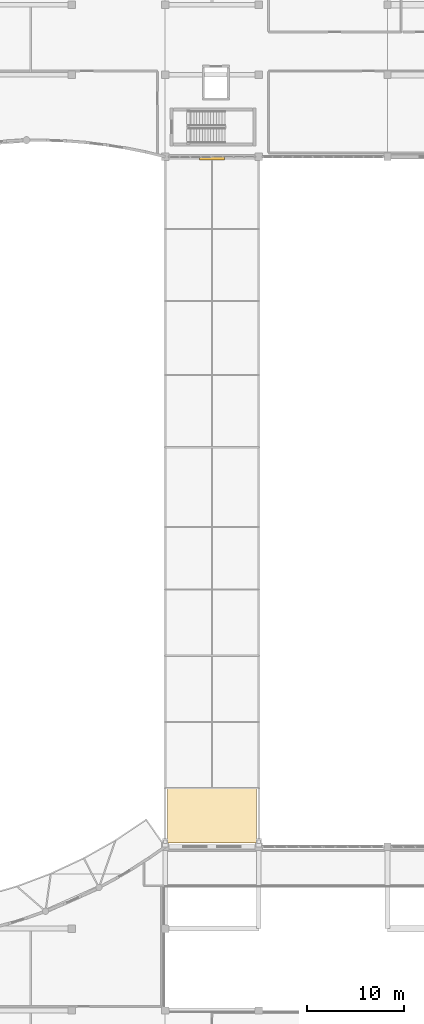
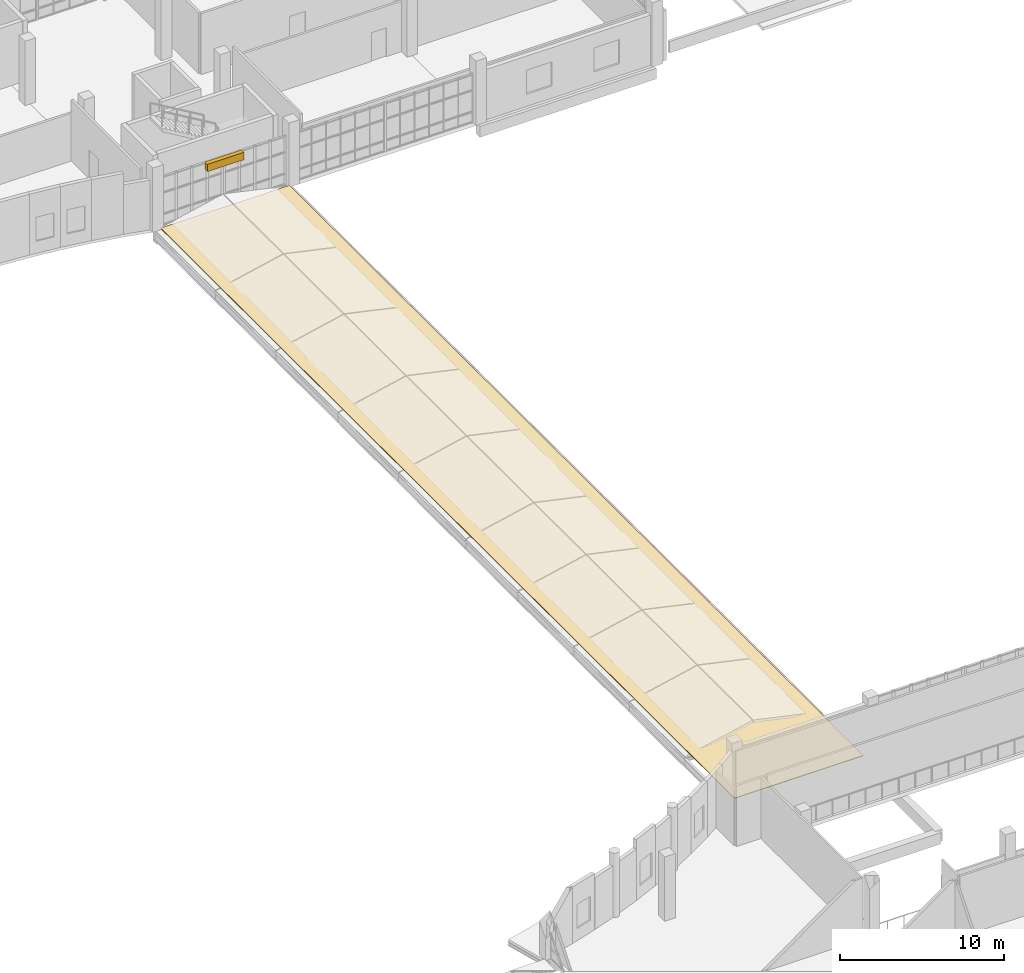
# One storey, part 105 of 106: 1 covering, 1 shading device.
"""IFC4 building model written with IfcOpenShell, lengths in metres."""

from ifc_helpers import new_model, si_unit, direction, frame, origin, origin_2d, place, context, subcontext, project, spatial, polyline, rectangle, outline, extrude, material, layer, layer_set, type_object, element, save


model = new_model("IFC4")

# Units and contexts
model_context = context("Model", 3, precision=1e-05, world=origin(), true_north=direction((0.0, 1.0)))
body_context = subcontext(model_context, "Body", "Model", "MODEL_VIEW")
ifc_project = project(units=[si_unit("LENGTHUNIT", "METRE"), si_unit("AREAUNIT", "SQUARE_METRE"), si_unit("VOLUMEUNIT", "CUBIC_METRE"), si_unit("PLANEANGLEUNIT", "RADIAN"), si_unit("MASSUNIT", "GRAM", prefix="KILO")], contexts=[model_context])

# Site, building, storey
site_placement = place(None, origin())
site = spatial("IfcSite", under=ifc_project, at=site_placement, CompositionType="ELEMENT")
building_placement = place(site_placement, origin())
building = spatial("IfcBuilding", under=site, at=building_placement, Name="Kisaragi Civic Commons", CompositionType="ELEMENT")
storey_placement = place(building_placement, frame((0.0, 0.0, 4.800048828125)))
storey = spatial("IfcBuildingStorey", under=building, at=storey_placement, Name="L01", CompositionType="ELEMENT", Elevation=4.800048828125)

# Covering
ifc_material_1 = material(Name="Patinated copper-zinc standing-seam roofing")
ifc_layer_1 = layer(ifc_material_1, 0.044921875, Name="Patinated copper-zinc standing-seam roofing")
ifc_layer_set_1 = layer_set([ifc_layer_1], Name="Patinated copper-zinc standing-seam roofing")
covering_type = type_object("IfcCoveringType", Name="RFG-01", PredefinedType="ROOFING", material=ifc_layer_set_1)
covering_placement = place(storey_placement, origin())
element("IfcCovering", 1, at=covering_placement, inside=storey, type_object=covering_type, Name="BR-V4-V3 roof standing-seam covering", PredefinedType="ROOFING", context=body_context, shape_type="SweptSolid", body=[
    extrude(outline(polyline([(123.85009765625, 25.60009765625), (132.949951171875, 25.60009765625), (132.949951171875, 95.75), (123.85009765625, 95.75), (123.85009765625, 25.60009765625)])), origin(), (0.0, 0.0, 1.0), 0.044921875),
])

# Shading device
ifc_material_2 = material(Name="Extruded Tokoname terracotta sun-louvre blade", Category="masonry")
ifc_layer_2 = layer(ifc_material_2, 0.550048828125, Name="Extruded Tokoname terracotta sun-louvre blade", Category="masonry")
ifc_layer_set_2 = layer_set([ifc_layer_2], Name="Extruded Tokoname terracotta sun-louvre blade")
shading_device_type = type_object("IfcShadingDeviceType", Name="SHD-02", PredefinedType="JALOUSIE", material=ifc_layer_set_2)
shading_device_placement = place(storey_placement, frame((128.39990234375, 95.81005859375, 3.15478515625), z_axis=(0.0, 0.0, 1.0), x_axis=(-1.0, 0.0, 0.0)))
element("IfcShadingDevice", 2, at=shading_device_placement, inside=storey, type_object=shading_device_type, Name="V4 L01 terracotta sun-louvre 11", PredefinedType="JALOUSIE", context=body_context, shape_type="SweptSolid", body=[
    extrude(rectangle(XDim=2.60009765625, YDim=0.300048828125, at=origin_2d()), origin(), (0.0, 0.0, 1.0), 0.550048828125),
])

save(model, "model.ifc")
